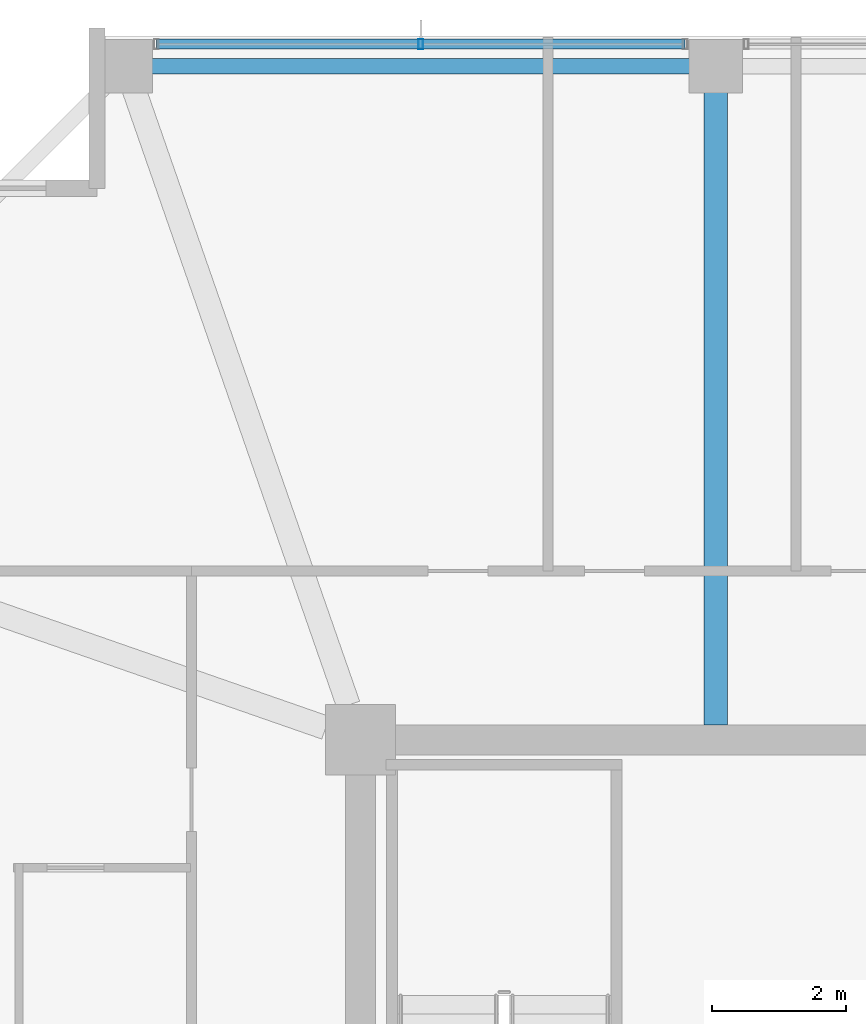
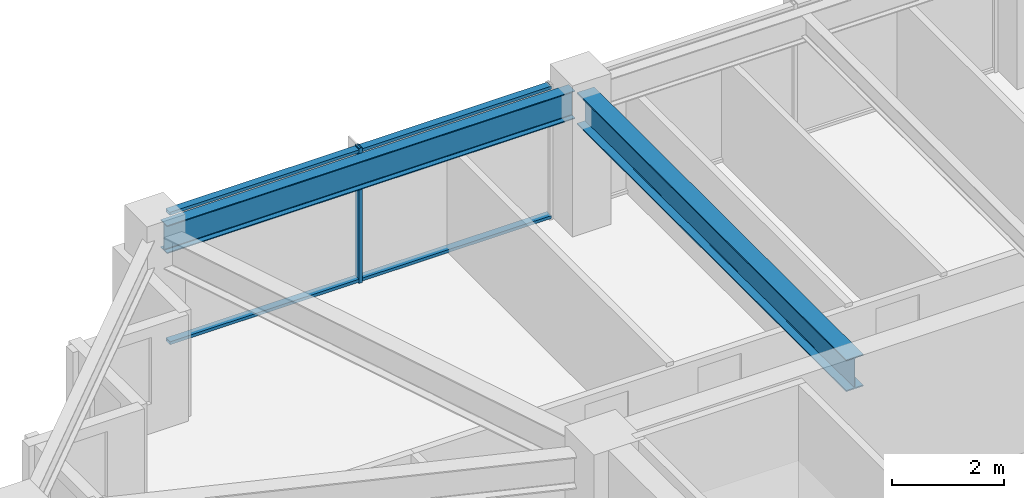
# One storey, part 17 of 34: 3 members, 2 beams, 1 element without a shape of its own.
"""IFC4 building model written with IfcOpenShell, lengths in metres."""

from ifc_helpers import new_model, si_unit, direction, frame, origin, origin_2d, place, context, subcontext, project, spatial, hollow_rectangle, i_section, extrude, material, material_profile, profile_set, type_object, element, aggregate, save


model = new_model("IFC4")

# Units and contexts
model_context = context("Model", 3, precision=1e-05, world=origin(), true_north=direction((0.0, 1.0)))
body_context = subcontext(model_context, "Body", "Model", "MODEL_VIEW")
ifc_project = project(units=[si_unit("LENGTHUNIT", "METRE"), si_unit("AREAUNIT", "SQUARE_METRE"), si_unit("VOLUMEUNIT", "CUBIC_METRE"), si_unit("PLANEANGLEUNIT", "RADIAN"), si_unit("MASSUNIT", "GRAM", prefix="KILO")], contexts=[model_context])

# Site, building, storey
site_placement = place(None, origin())
site = spatial("IfcSite", under=ifc_project, at=site_placement, CompositionType="ELEMENT")
building_placement = place(site_placement, origin())
building = spatial("IfcBuilding", under=site, at=building_placement, Name="Kolvaren Belvedere", CompositionType="ELEMENT")
storey_placement = place(building_placement, frame((0.0, 0.0, 229.5)))
storey = spatial("IfcBuildingStorey", under=building, at=storey_placement, Name="L67", CompositionType="ELEMENT", Elevation=229.5)

# Beams
ifc_material_1 = material(Name="Structural steel ASTM A992 Grade 50", Category="steel")
ifc_material_profile_1 = material_profile(ifc_material_1, i_section(OverallWidth=0.35498046875, OverallDepth=0.696044921875, WebThickness=0.015380859375, FlangeThickness=0.02490234375, FilletRadius=0.02197265625, at=origin_2d()), Name="W27X146")
ifc_profile_set_1 = profile_set([ifc_material_profile_1], Name="Structural steel ASTM A992 Grade 50")
beam_type_1 = type_object("IfcBeamType", Name="BM-GIRD-W27X146", PredefinedType="BEAM", material=ifc_profile_set_1)
beam_1_placement = place(storey_placement, frame((-4.60009765625, 10.125, 2.60205078125), z_axis=(0.0, 1.0, 0.0), x_axis=(-1.0, 0.0, 0.0)))
element("IfcBeam", 1, at=beam_1_placement, inside=storey, type_object=beam_type_1, Name="L67 North Radial Girder M", PredefinedType="BEAM", context=body_context, shape_type="SweptSolid", body=[
    extrude(i_section(OverallWidth=0.35498046875, OverallDepth=0.696044921875, WebThickness=0.015380859375, FlangeThickness=0.02490234375, FilletRadius=0.02197265625, at=origin_2d()), origin(), (0.0, 0.0, 1.0), 9.64501953125),
])
ifc_material_2 = material(Name="Structural steel ASTM A992 Grade 50", Category="steel")
ifc_material_profile_2 = material_profile(ifc_material_2, i_section(OverallWidth=0.22900390625, OverallDepth=0.612060546875, WebThickness=0.011962890625, FlangeThickness=0.01953125, FilletRadius=0.01806640625, at=origin_2d()), Name="W24X84")
ifc_profile_set_2 = profile_set([ifc_material_profile_2], Name="Structural steel ASTM A992 Grade 50")
beam_type_2 = type_object("IfcBeamType", Name="BM-SPAN-W24X84", PredefinedType="SPANDREL", material=ifc_profile_set_2)
beam_2_placement = place(storey_placement, frame((-4.780029296875, 19.949951171875, 2.64404296875), z_axis=(-1.0, 0.0, 0.0), x_axis=(0.0, -1.0, 0.0)))
element("IfcBeam", 2, at=beam_2_placement, inside=storey, type_object=beam_type_2, Name="L67 Perimeter Spandrel N2-N1", PredefinedType="SPANDREL", context=body_context, shape_type="SweptSolid", body=[
    extrude(i_section(OverallWidth=0.22900390625, OverallDepth=0.612060546875, WebThickness=0.011962890625, FlangeThickness=0.01953125, FilletRadius=0.01806640625, at=origin_2d()), origin(), (0.0, 0.0, 1.0), 8.43994140625),
])

# Curtain wall, members
ifc_material_3 = material(Name="Anodised pale-metal aluminium AA 6063-T6", Category="aluminium")
curtain_wall_type = type_object("IfcCurtainWallType", Name="CW-Z5-HIGH", PredefinedType="NOTDEFINED", material=ifc_material_3)
curtain_wall_placement = place(storey_placement, origin())
curtain_wall = element("IfcCurtainWall", 3, at=curtain_wall_placement, inside=storey, type_object=curtain_wall_type, Name="L67 Unitised Curtain Wall FCW-L67-N-B1", PredefinedType="NOTDEFINED")
ifc_material_4 = material(Name="Anodised pale-metal aluminium AA 6063-T6", Category="aluminium")
ifc_material_profile_3 = material_profile(ifc_material_4, hollow_rectangle(XDim=0.070068359375, YDim=0.14990234375, WallThickness=0.004150390625, at=origin_2d()), Name="ALU-MUL-150X70")
ifc_profile_set_3 = profile_set([ifc_material_profile_3], Name="Anodised pale-metal aluminium AA 6063-T6")
member_type_1 = type_object("IfcMemberType", Name="CW-MUL-150", PredefinedType="MULLION", material=ifc_profile_set_3)
member_1_placement = place(storey_placement, frame((-9.0, 20.280029296875, 0.0), z_axis=(0.0, 0.0, 1.0), x_axis=(1.0, 0.0, 0.0)))
member_1 = element("IfcMember", 4, at=member_1_placement, type_object=member_type_1, Name="FCW-L67-N-B1 Unitised Mullion 2", PredefinedType="MULLION", context=body_context, shape_type="SweptSolid", body=[
    extrude(hollow_rectangle(XDim=0.070068359375, YDim=0.14990234375, WallThickness=0.004150390625, at=origin_2d()), origin(), (0.0, 0.0, 1.0), 2.949951171875),
])
ifc_material_5 = material(Name="Anodised pale-metal aluminium AA 6063-T6", Category="aluminium")
ifc_material_profile_4 = material_profile(ifc_material_5, hollow_rectangle(XDim=0.06494140625, YDim=0.14990234375, WallThickness=0.00390625, at=origin_2d()), Name="ALU-TRN-150X65")
ifc_profile_set_4 = profile_set([ifc_material_profile_4], Name="Anodised pale-metal aluminium AA 6063-T6")
member_type_2 = type_object("IfcMemberType", Name="CW-TRN-150", PredefinedType="USERDEFINED", material=ifc_profile_set_4)
member_2_placement = place(storey_placement, frame((-12.945068359375, 20.280029296875, 0.06005859375), z_axis=(1.0, 0.0, 0.0), x_axis=(0.0, 0.0, 1.0)))
member_2 = element("IfcMember", 5, at=member_2_placement, type_object=member_type_2, Name="FCW-L67-N-B1 Sill Transom", ObjectType="TRANSOM", PredefinedType="USERDEFINED", context=body_context, shape_type="SweptSolid", body=[
    extrude(hollow_rectangle(XDim=0.06494140625, YDim=0.14990234375, WallThickness=0.00390625, at=origin_2d()), origin(), (0.0, 0.0, 1.0), 7.89013671875),
])
member_3_placement = place(storey_placement, frame((-12.945068359375, 20.280029296875, 2.889892578125), z_axis=(1.0, 0.0, 0.0), x_axis=(0.0, 0.0, 1.0)))
member_3 = element("IfcMember", 6, at=member_3_placement, type_object=member_type_2, Name="FCW-L67-N-B1 Head Transom", ObjectType="TRANSOM", PredefinedType="USERDEFINED", context=body_context, shape_type="SweptSolid", body=[
    extrude(hollow_rectangle(XDim=0.06494140625, YDim=0.14990234375, WallThickness=0.00390625, at=origin_2d()), origin(), (0.0, 0.0, 1.0), 7.89013671875),
])
aggregate(curtain_wall, [member_1, member_2, member_3])

save(model, "model.ifc")
